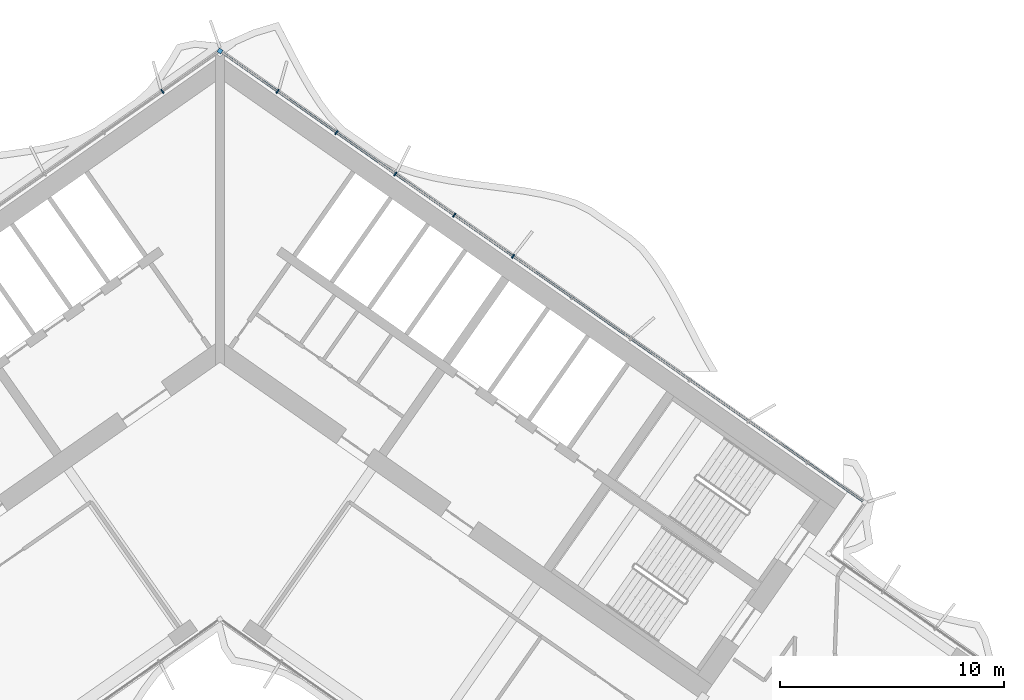
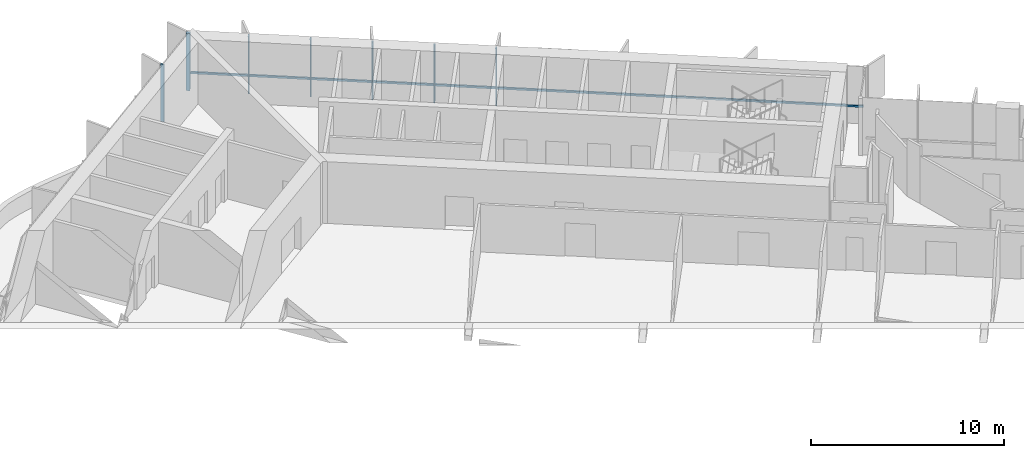
# One storey, part 8 of 21: 8 members, 1 element without a shape of its own.
"""IFC4 building model written with IfcOpenShell, lengths in metres."""

from ifc_helpers import new_model, si_unit, direction, frame, origin, origin_2d, place, context, subcontext, project, spatial, rectangle, extrude, material, material_profile, profile_set, type_object, element, aggregate, save


model = new_model("IFC4")

# Units and contexts
model_context = context("Model", 3, precision=1e-05, world=origin(), true_north=direction((0.0, 1.0)))
body_context = subcontext(model_context, "Body", "Model", "MODEL_VIEW")
ifc_project = project(units=[si_unit("LENGTHUNIT", "METRE"), si_unit("AREAUNIT", "SQUARE_METRE"), si_unit("VOLUMEUNIT", "CUBIC_METRE"), si_unit("PLANEANGLEUNIT", "RADIAN"), si_unit("MASSUNIT", "GRAM", prefix="KILO")], contexts=[model_context])

# Site, building, storey
site_placement = place(None, origin())
site = spatial("IfcSite", under=ifc_project, at=site_placement, CompositionType="ELEMENT")
building_placement = place(site_placement, origin())
building = spatial("IfcBuilding", under=site, at=building_placement, Name="Tel Ilan Convention Tower", CompositionType="ELEMENT")
storey_placement = place(building_placement, frame((0.0, 0.0, 206.10009765625)))
storey = spatial("IfcBuildingStorey", under=building, at=storey_placement, Name="L48", CompositionType="ELEMENT", Elevation=206.10009765625)

# Curtain wall, members
ifc_material_1 = material(Name="Aluminium, bronze anodised", Category="aluminium")
curtain_wall_type = type_object("IfcCurtainWallType", Name="CW2 STICK CURTAIN WALL, SPANDREL PANELS", PredefinedType="NOTDEFINED", material=ifc_material_1)
curtain_wall_placement = place(storey_placement, origin())
curtain_wall = element("IfcCurtainWall", 1, at=curtain_wall_placement, inside=storey, type_object=curtain_wall_type, Name="Curtain wall CW2-38.01", PredefinedType="NOTDEFINED")
ifc_material_2 = material(Name="Aluminium, bronze anodised", Category="aluminium")
ifc_material_profile_1 = material_profile(ifc_material_2, rectangle(XDim=0.199951171875, YDim=0.199951171875, at=origin_2d()), Name="CW CORNER MULLION 200x200")
ifc_profile_set_1 = profile_set([ifc_material_profile_1], Name="Aluminium, bronze anodised")
member_type_1 = type_object("IfcMemberType", Name="CW CORNER MULLION 200x200", PredefinedType="MULLION", material=ifc_profile_set_1)
member_1_placement = place(storey_placement, frame((0.0, 12.696044921875, 0.0), z_axis=(0.0, 0.0, 1.0), x_axis=(-0.819152044289, 0.573576436351, 0.0)))
member_1 = element("IfcMember", 2, at=member_1_placement, type_object=member_type_1, Name="Corner mullion", PredefinedType="MULLION", context=body_context, shape_type="SweptSolid", body=[
    extrude(rectangle(XDim=0.199951171875, YDim=0.199951171875, at=origin_2d()), origin(), (0.0, 0.0, 1.0), 3.619873046875),
])
ifc_material_3 = material(Name="Aluminium, bronze anodised", Category="aluminium")
ifc_material_profile_2 = material_profile(ifc_material_3, rectangle(XDim=0.06005859375, YDim=0.199951171875, at=origin_2d()), Name="CW MULLION 60x200")
ifc_profile_set_2 = profile_set([ifc_material_profile_2], Name="Aluminium, bronze anodised")
member_type_2 = type_object("IfcMemberType", Name="CW MULLION 60x200", PredefinedType="MULLION", material=ifc_profile_set_2)
member_2_placement = place(storey_placement, frame((13.105712890625, 3.519287109375, 0.0), z_axis=(0.0, 0.0, 1.0), x_axis=(-0.819152044289, 0.573576436351, 0.0)))
member_2 = element("IfcMember", 3, at=member_2_placement, type_object=member_type_2, Name="Mullion", PredefinedType="MULLION", context=body_context, shape_type="SweptSolid", body=[
    extrude(rectangle(XDim=0.06005859375, YDim=0.199951171875, at=origin_2d()), origin(), (0.0, 0.0, 1.0), 3.619873046875),
])
member_3_placement = place(storey_placement, frame((10.47314453125, 5.36279296875, 0.0), z_axis=(0.0, 0.0, 1.0), x_axis=(-0.819152044289, 0.573576436351, 0.0)))
member_3 = element("IfcMember", 4, at=member_3_placement, type_object=member_type_2, Name="Mullion", PredefinedType="MULLION", context=body_context, shape_type="SweptSolid", body=[
    extrude(rectangle(XDim=0.06005859375, YDim=0.199951171875, at=origin_2d()), origin(), (0.0, 0.0, 1.0), 3.619873046875),
])
member_4_placement = place(storey_placement, frame((7.840576171875, 7.2060546875, 0.0), z_axis=(0.0, 0.0, 1.0), x_axis=(-0.819152044289, 0.573576436351, 0.0)))
member_4 = element("IfcMember", 5, at=member_4_placement, type_object=member_type_2, Name="Mullion", PredefinedType="MULLION", context=body_context, shape_type="SweptSolid", body=[
    extrude(rectangle(XDim=0.06005859375, YDim=0.199951171875, at=origin_2d()), origin(), (0.0, 0.0, 1.0), 3.619873046875),
])
member_5_placement = place(storey_placement, frame((5.207763671875, 9.049560546875, 0.0), z_axis=(0.0, 0.0, 1.0), x_axis=(-0.819152044289, 0.573576436351, 0.0)))
member_5 = element("IfcMember", 6, at=member_5_placement, type_object=member_type_2, Name="Mullion", PredefinedType="MULLION", context=body_context, shape_type="SweptSolid", body=[
    extrude(rectangle(XDim=0.06005859375, YDim=0.199951171875, at=origin_2d()), origin(), (0.0, 0.0, 1.0), 3.619873046875),
])
member_6_placement = place(storey_placement, frame((2.5751953125, 10.892822265625, 0.0), z_axis=(0.0, 0.0, 1.0), x_axis=(-0.819152044289, 0.573576436351, 0.0)))
member_6 = element("IfcMember", 7, at=member_6_placement, type_object=member_type_2, Name="Mullion", PredefinedType="MULLION", context=body_context, shape_type="SweptSolid", body=[
    extrude(rectangle(XDim=0.06005859375, YDim=0.199951171875, at=origin_2d()), origin(), (0.0, 0.0, 1.0), 3.619873046875),
])
member_7_placement = place(storey_placement, frame((-2.5751953125, 10.892822265625, 0.0), z_axis=(0.0, 0.0, 1.0), x_axis=(-0.819152044289, -0.573576436351, 0.0)))
member_7 = element("IfcMember", 8, at=member_7_placement, type_object=member_type_2, Name="Mullion", PredefinedType="MULLION", context=body_context, shape_type="SweptSolid", body=[
    extrude(rectangle(XDim=0.06005859375, YDim=0.199951171875, at=origin_2d()), origin(), (0.0, 0.0, 1.0), 3.619873046875),
])
ifc_material_4 = material(Name="Aluminium, bronze anodised", Category="aluminium")
ifc_material_profile_3 = material_profile(ifc_material_4, rectangle(XDim=0.10009765625, YDim=0.1201171875, at=origin_2d()), Name="CW TRANSOM 100x120")
ifc_profile_set_3 = profile_set([ifc_material_profile_3], Name="Aluminium, bronze anodised")
member_type_3 = type_object("IfcMemberType", Name="CW TRANSOM 100x120", PredefinedType="USERDEFINED", material=ifc_profile_set_3)
member_8_placement = place(storey_placement, frame((28.737548828125, -7.42626953125, 1.099853515625), z_axis=(-0.819150201937, 0.573579067494, 0.0), x_axis=(-0.573579067494, -0.819150201937, 0.0)))
member_8 = element("IfcMember", 9, at=member_8_placement, type_object=member_type_3, Name="Transom", ObjectType="TRANSOM", PredefinedType="USERDEFINED", context=body_context, shape_type="SweptSolid", body=[
    extrude(rectangle(XDim=0.10009765625, YDim=0.1201171875, at=origin_2d()), origin(), (0.0, 0.0, 1.0), 34.9521484375),
])
aggregate(curtain_wall, [member_2, member_3, member_4, member_5, member_6, member_1, member_8, member_7])

save(model, "model.ifc")
